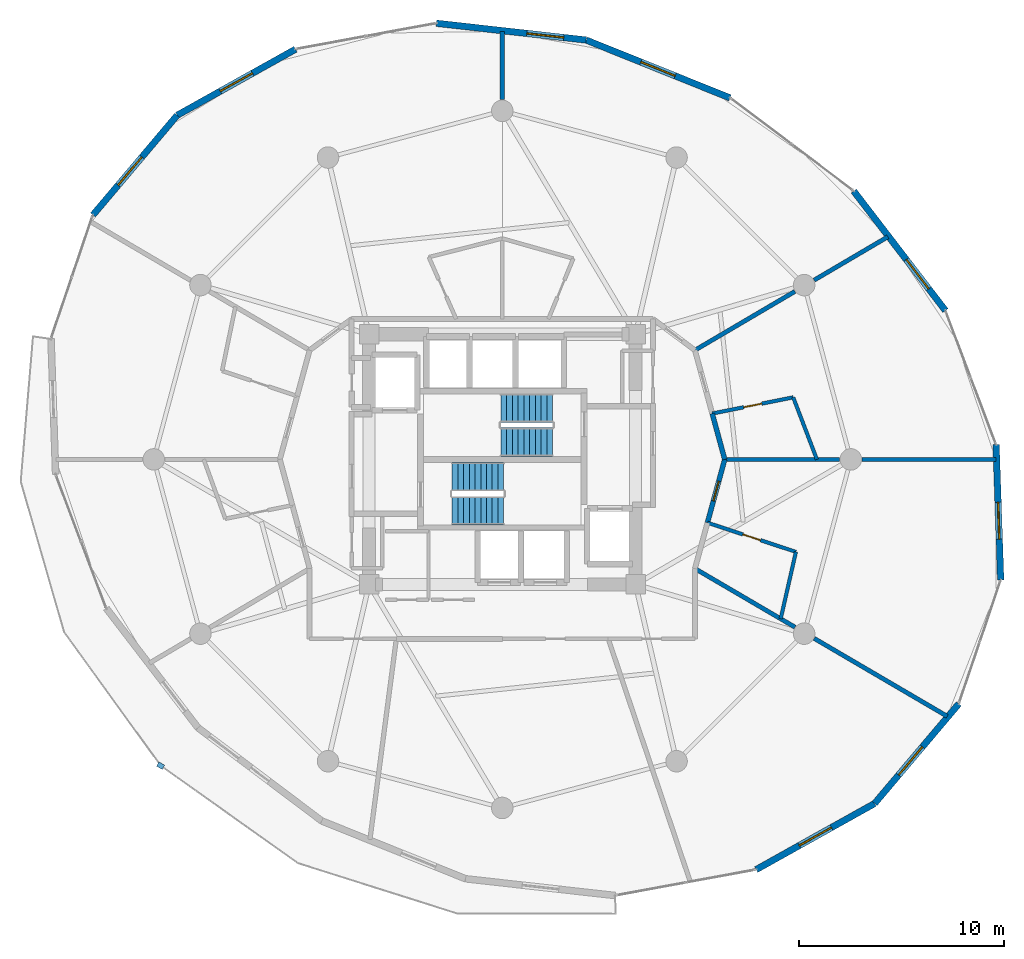
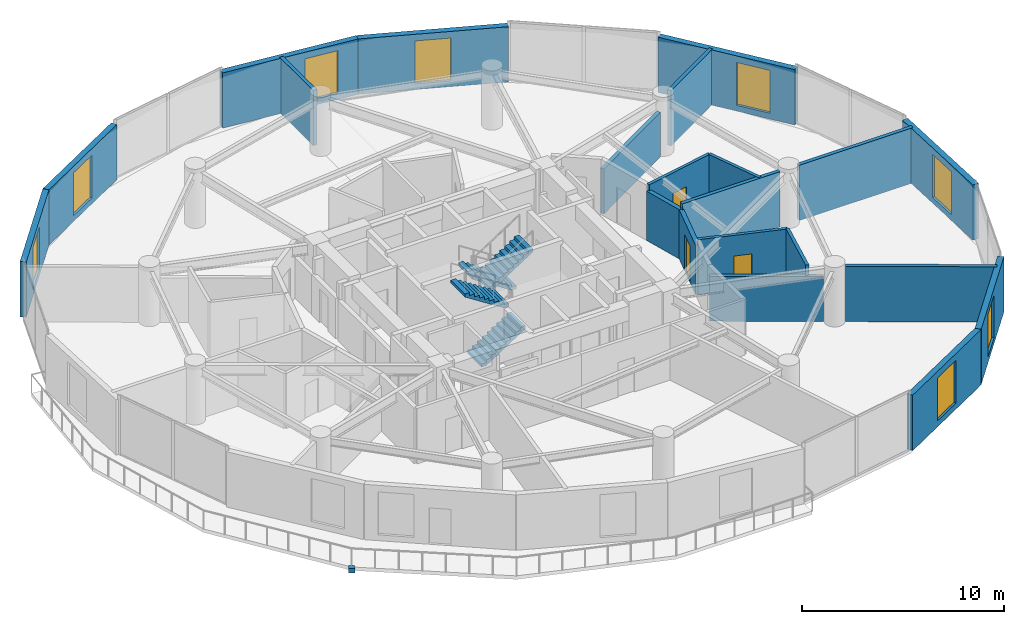
# One storey, part 23 of 25: 21 walls, 8 windows, 4 stair flights, 3 doors, 1 discrete accessory, 11 openings, 2 elements without a shape of their own.
"""IFC4 building model written with IfcOpenShell, lengths in metres."""

from ifc_helpers import new_model, si_unit, direction, frame, frame_2d, origin, origin_2d, place, context, subcontext, project, spatial, polyline, rectangle, outline, extrude, material, layer, layer_set, type_object, element, fill, aggregate, save


model = new_model("IFC4")

# Units and contexts
model_context = context("Model", 3, precision=1e-05, world=origin(), true_north=direction((0.0, 1.0)))
body_context = subcontext(model_context, "Body", "Model", "MODEL_VIEW")
ifc_project = project(units=[si_unit("LENGTHUNIT", "METRE"), si_unit("AREAUNIT", "SQUARE_METRE"), si_unit("VOLUMEUNIT", "CUBIC_METRE"), si_unit("PLANEANGLEUNIT", "RADIAN"), si_unit("MASSUNIT", "GRAM", prefix="KILO")], contexts=[model_context])

# Site, building, storey
site_placement = place(None, origin())
site = spatial("IfcSite", under=ifc_project, at=site_placement, CompositionType="ELEMENT")
building_placement = place(site_placement, origin())
building = spatial("IfcBuilding", under=site, at=building_placement, Name="Solvirekh Grand Hotel", CompositionType="ELEMENT")
storey_placement = place(building_placement, frame((0.0, 0.0, 106.199951171875)))
storey = spatial("IfcBuildingStorey", under=building, at=storey_placement, Name="L26", CompositionType="ELEMENT", Elevation=106.199951171875)

# Wall, opening, window
ifc_material_1 = material(Name="Precast concrete C45/55", Category="concrete")
ifc_layer_1 = layer(ifc_material_1, 0.320068359375)
ifc_layer_set_1 = layer_set([ifc_layer_1], Name="Precast concrete C45/55")
wall_type_1 = type_object("IfcWallType", Name="ExtLobbyWall_RC320", PredefinedType="SOLIDWALL", material=ifc_layer_set_1)
wall_1_placement = place(storey_placement, frame((24.0859375, 0.722900390625, 0.0), z_axis=(0.0, 0.0, 1.0), x_axis=(0.034040106065, -0.999420467661, 0.0)))
wall_1 = element("IfcWall", 1, at=wall_1_placement, inside=storey, type_object=wall_type_1, Name="L26 exterior structural wall chord 2", PredefinedType="SOLIDWALL", context=body_context, shape_type="SweptSolid", body=[
    extrude(rectangle(XDim=6.61279296875, YDim=0.320068359375, at=frame_2d((3.306396484375, 0.0))), origin(), (0.0, 0.0, 1.0), 3.35009765625),
])
opening_1_placement = place(wall_1_placement, frame((2.81689453125, 0.0, 0.35009765625)))
opening_1 = element("IfcOpeningElement", 2, at=opening_1_placement, cuts=wall_1, Name="Opening W02", PredefinedType="OPENING", context=body_context, shape_type="SweptSolid", body=[
    extrude(rectangle(XDim=1.800048828125, YDim=2.60009765625, at=frame_2d((0.89990234375, 1.300048828125))), frame((0.0, 0.169921875, 0.0), z_axis=(0.0, -1.0, 0.0), x_axis=(1.0, 0.0, 0.0)), (0.0, 0.0, 1.0), 0.340087890625),
])
ifc_material_2 = material(Name="Low-E Tinted Bronze Laminated Glass", Category="aluminium")
window_type = type_object("IfcWindowType", Name="Win_LobbyExt_1800X2600", PartitioningType="SINGLE_PANEL", PredefinedType="WINDOW", material=ifc_material_2)
window_1_placement = place(opening_1_placement, origin())
window_1 = element("IfcWindow", 3, at=window_1_placement, inside=storey, type_object=window_type, Name="L26 panoramic bronze-framed window 2", OverallHeight=2.60009765625, OverallWidth=1.800048828125, PartitioningType="SINGLE_PANEL", PredefinedType="WINDOW", context=body_context, shape_type="SweptSolid", body=[
    extrude(rectangle(XDim=1.800048828125, YDim=2.60009765625, at=frame_2d((0.89990234375, 1.300048828125))), frame((0.0, 0.030029296875, 0.0), z_axis=(0.0, -1.0, 0.0), x_axis=(1.0, 0.0, 0.0)), (0.0, 0.0, 1.0), 0.06005859375),
])
fill(opening_1, window_1)

wall_2_placement = place(storey_placement, frame((17.14208984375, 13.089111328125, 0.0), z_axis=(0.0, 0.0, 1.0), x_axis=(0.608831916989, -0.793299247986, 0.0)))
wall_2 = element("IfcWall", 4, at=wall_2_placement, inside=storey, type_object=wall_type_1, Name="L26 exterior structural wall chord 4", PredefinedType="SOLIDWALL", context=body_context, shape_type="SweptSolid", body=[
    extrude(rectangle(XDim=7.3466796875, YDim=0.320068359375, at=frame_2d((3.67333984375, 0.0))), origin(), (0.0, 0.0, 1.0), 3.35009765625),
])
opening_2_placement = place(wall_2_placement, frame((4.215087890625, 0.0, 0.35009765625)))
opening_2 = element("IfcOpeningElement", 5, at=opening_2_placement, cuts=wall_2, Name="Opening W02", PredefinedType="OPENING", context=body_context, shape_type="SweptSolid", body=[
    extrude(rectangle(XDim=1.800048828125, YDim=2.60009765625, at=frame_2d((0.89990234375, 1.300048828125))), frame((0.0, 0.169921875, 0.0), z_axis=(0.0, -1.0, 0.0), x_axis=(1.0, 0.0, 0.0)), (0.0, 0.0, 1.0), 0.340087890625),
])
window_2_placement = place(opening_2_placement, origin())
window_2 = element("IfcWindow", 6, at=window_2_placement, inside=storey, type_object=window_type, Name="L26 panoramic bronze-framed window 4", OverallHeight=2.60009765625, OverallWidth=1.800048828125, PartitioningType="SINGLE_PANEL", PredefinedType="WINDOW", context=body_context, shape_type="SweptSolid", body=[
    extrude(rectangle(XDim=1.800048828125, YDim=2.60009765625, at=frame_2d((0.89990234375, 1.300048828125))), frame((0.0, 0.030029296875, 0.0), z_axis=(0.0, -1.0, 0.0), x_axis=(1.0, 0.0, 0.0)), (0.0, 0.0, 1.0), 0.06005859375),
])
fill(opening_2, window_2)

wall_3_placement = place(storey_placement, frame((4.090087890625, 20.455078125, 0.0), z_axis=(0.0, 0.0, 1.0), x_axis=(0.927795739468, -0.373088549577, 0.0)))
wall_3 = element("IfcWall", 7, at=wall_3_placement, inside=storey, type_object=wall_type_1, Name="L26 exterior structural wall chord 6", PredefinedType="SOLIDWALL", context=body_context, shape_type="SweptSolid", body=[
    extrude(rectangle(XDim=7.55859375, YDim=0.320068359375, at=frame_2d((3.779296875, 0.0))), origin(), (0.0, 0.0, 1.0), 3.35009765625),
])
opening_3_placement = place(wall_3_placement, frame((2.87890625, 0.0, 0.35009765625)))
opening_3 = element("IfcOpeningElement", 8, at=opening_3_placement, cuts=wall_3, Name="Opening W02", PredefinedType="OPENING", context=body_context, shape_type="SweptSolid", body=[
    extrude(rectangle(XDim=1.800048828125, YDim=2.60009765625, at=frame_2d((0.89990234375, 1.300048828125))), frame((0.0, 0.169921875, 0.0), z_axis=(0.0, -1.0, 0.0), x_axis=(1.0, 0.0, 0.0)), (0.0, 0.0, 1.0), 0.340087890625),
])
window_3_placement = place(opening_3_placement, origin())
window_3 = element("IfcWindow", 9, at=window_3_placement, inside=storey, type_object=window_type, Name="L26 panoramic bronze-framed window 6", OverallHeight=2.60009765625, OverallWidth=1.800048828125, PartitioningType="SINGLE_PANEL", PredefinedType="WINDOW", context=body_context, shape_type="SweptSolid", body=[
    extrude(rectangle(XDim=1.800048828125, YDim=2.60009765625, at=frame_2d((0.89990234375, 1.300048828125))), frame((0.0, 0.030029296875, 0.0), z_axis=(0.0, -1.0, 0.0), x_axis=(1.0, 0.0, 0.0)), (0.0, 0.0, 1.0), 0.06005859375),
])
fill(opening_3, window_3)

wall_4_placement = place(storey_placement, frame((-3.2109375, 21.27294921875, 0.0), z_axis=(0.0, 0.0, 1.0), x_axis=(0.993784044115, -0.111325081016, 0.0)))
wall_4 = element("IfcWall", 10, at=wall_4_placement, inside=storey, type_object=wall_type_1, Name="L26 exterior structural wall chord 7", PredefinedType="SOLIDWALL", context=body_context, shape_type="SweptSolid", body=[
    extrude(rectangle(XDim=7.3466796875, YDim=0.320068359375, at=frame_2d((3.67333984375, 0.0))), origin(), (0.0, 0.0, 1.0), 3.35009765625),
])
opening_4_placement = place(wall_4_placement, frame((4.44091796875, 0.0, 0.35009765625)))
opening_4 = element("IfcOpeningElement", 11, at=opening_4_placement, cuts=wall_4, Name="Opening W02", PredefinedType="OPENING", context=body_context, shape_type="SweptSolid", body=[
    extrude(rectangle(XDim=1.800048828125, YDim=2.60009765625, at=frame_2d((0.89990234375, 1.300048828125))), frame((0.0, 0.169921875, 0.0), z_axis=(0.0, -1.0, 0.0), x_axis=(1.0, 0.0, 0.0)), (0.0, 0.0, 1.0), 0.340087890625),
])
window_4_placement = place(opening_4_placement, origin())
window_4 = element("IfcWindow", 12, at=window_4_placement, inside=storey, type_object=window_type, Name="L26 panoramic bronze-framed window 7", OverallHeight=2.60009765625, OverallWidth=1.800048828125, PartitioningType="SINGLE_PANEL", PredefinedType="WINDOW", context=body_context, shape_type="SweptSolid", body=[
    extrude(rectangle(XDim=1.800048828125, YDim=2.60009765625, at=frame_2d((0.89990234375, 1.300048828125))), frame((0.0, 0.030029296875, 0.0), z_axis=(0.0, -1.0, 0.0), x_axis=(1.0, 0.0, 0.0)), (0.0, 0.0, 1.0), 0.06005859375),
])
fill(opening_4, window_4)

wall_5_placement = place(storey_placement, frame((-15.85888671875, 16.784912109375, 0.0), z_axis=(0.0, 0.0, 1.0), x_axis=(0.873166276034, 0.487422459882, 0.0)))
wall_5 = element("IfcWall", 13, at=wall_5_placement, inside=storey, type_object=wall_type_1, Name="L26 exterior structural wall chord 9", PredefinedType="SOLIDWALL", context=body_context, shape_type="SweptSolid", body=[
    extrude(rectangle(XDim=6.612548828125, YDim=0.320068359375, at=frame_2d((3.30615234375, 0.0))), origin(), (0.0, 0.0, 1.0), 3.35009765625),
])
opening_5_placement = place(wall_5_placement, frame((2.406005859375, 0.0, 0.35009765625)))
opening_5 = element("IfcOpeningElement", 14, at=opening_5_placement, cuts=wall_5, Name="Opening W02", PredefinedType="OPENING", context=body_context, shape_type="SweptSolid", body=[
    extrude(rectangle(XDim=1.800048828125, YDim=2.60009765625, at=frame_2d((0.89990234375, 1.300048828125))), frame((0.0, 0.169921875, 0.0), z_axis=(0.0, -1.0, 0.0), x_axis=(1.0, 0.0, 0.0)), (0.0, 0.0, 1.0), 0.340087890625),
])
window_5_placement = place(opening_5_placement, origin())
window_5 = element("IfcWindow", 15, at=window_5_placement, inside=storey, type_object=window_type, Name="L26 panoramic bronze-framed window 9", OverallHeight=2.60009765625, OverallWidth=1.800048828125, PartitioningType="SINGLE_PANEL", PredefinedType="WINDOW", context=body_context, shape_type="SweptSolid", body=[
    extrude(rectangle(XDim=1.800048828125, YDim=2.60009765625, at=frame_2d((0.89990234375, 1.300048828125))), frame((0.0, 0.030029296875, 0.0), z_axis=(0.0, -1.0, 0.0), x_axis=(1.0, 0.0, 0.0)), (0.0, 0.0, 1.0), 0.06005859375),
])
fill(opening_5, window_5)

wall_6_placement = place(storey_placement, frame((-19.968994140625, 11.9189453125, 0.0), z_axis=(0.0, 0.0, 1.0), x_axis=(0.645278763483, 0.763947195425, 0.0)))
wall_6 = element("IfcWall", 16, at=wall_6_placement, inside=storey, type_object=wall_type_1, Name="L26 exterior structural wall chord 10", PredefinedType="SOLIDWALL", context=body_context, shape_type="SweptSolid", body=[
    extrude(rectangle(XDim=6.369384765625, YDim=0.320068359375, at=frame_2d((3.1845703125, 0.0))), origin(), (0.0, 0.0, 1.0), 3.35009765625),
])
opening_6_placement = place(wall_6_placement, frame((1.905029296875, 0.0, 0.35009765625)))
opening_6 = element("IfcOpeningElement", 17, at=opening_6_placement, cuts=wall_6, Name="Opening W02", PredefinedType="OPENING", context=body_context, shape_type="SweptSolid", body=[
    extrude(rectangle(XDim=1.800048828125, YDim=2.60009765625, at=frame_2d((0.89990234375, 1.300048828125))), frame((0.0, 0.169921875, 0.0), z_axis=(0.0, -1.0, 0.0), x_axis=(1.0, 0.0, 0.0)), (0.0, 0.0, 1.0), 0.340087890625),
])
window_6_placement = place(opening_6_placement, origin())
window_6 = element("IfcWindow", 18, at=window_6_placement, inside=storey, type_object=window_type, Name="L26 panoramic bronze-framed window 10", OverallHeight=2.60009765625, OverallWidth=1.800048828125, PartitioningType="SINGLE_PANEL", PredefinedType="WINDOW", context=body_context, shape_type="SweptSolid", body=[
    extrude(rectangle(XDim=1.800048828125, YDim=2.60009765625, at=frame_2d((0.89990234375, 1.300048828125))), frame((0.0, 0.030029296875, 0.0), z_axis=(0.0, -1.0, 0.0), x_axis=(1.0, 0.0, 0.0)), (0.0, 0.0, 1.0), 0.06005859375),
])
fill(opening_6, window_6)

wall_7_placement = place(storey_placement, frame((18.158935546875, -16.784912109375, 0.0), z_axis=(0.0, 0.0, 1.0), x_axis=(-0.873166276034, -0.487422459882, 0.0)))
wall_7 = element("IfcWall", 19, at=wall_7_placement, inside=storey, type_object=wall_type_1, Name="L26 exterior structural wall chord 19", PredefinedType="SOLIDWALL", context=body_context, shape_type="SweptSolid", body=[
    extrude(rectangle(XDim=6.612548828125, YDim=0.320068359375, at=frame_2d((3.30615234375, 0.0))), origin(), (0.0, 0.0, 1.0), 3.35009765625),
])
opening_7_placement = place(wall_7_placement, frame((2.406005859375, 0.0, 0.35009765625)))
opening_7 = element("IfcOpeningElement", 20, at=opening_7_placement, cuts=wall_7, Name="Opening W02", PredefinedType="OPENING", context=body_context, shape_type="SweptSolid", body=[
    extrude(rectangle(XDim=1.800048828125, YDim=2.60009765625, at=frame_2d((0.89990234375, 1.300048828125))), frame((0.0, 0.169921875, 0.0), z_axis=(0.0, -1.0, 0.0), x_axis=(1.0, 0.0, 0.0)), (0.0, 0.0, 1.0), 0.340087890625),
])
window_7_placement = place(opening_7_placement, origin())
window_7 = element("IfcWindow", 21, at=window_7_placement, inside=storey, type_object=window_type, Name="L26 panoramic bronze-framed window 19", OverallHeight=2.60009765625, OverallWidth=1.800048828125, PartitioningType="SINGLE_PANEL", PredefinedType="WINDOW", context=body_context, shape_type="SweptSolid", body=[
    extrude(rectangle(XDim=1.800048828125, YDim=2.60009765625, at=frame_2d((0.89990234375, 1.300048828125))), frame((0.0, 0.030029296875, 0.0), z_axis=(0.0, -1.0, 0.0), x_axis=(1.0, 0.0, 0.0)), (0.0, 0.0, 1.0), 0.06005859375),
])
fill(opening_7, window_7)

wall_8_placement = place(storey_placement, frame((22.26904296875, -11.9189453125, 0.0), z_axis=(0.0, 0.0, 1.0), x_axis=(-0.645278763483, -0.763947195425, 0.0)))
wall_8 = element("IfcWall", 22, at=wall_8_placement, inside=storey, type_object=wall_type_1, Name="L26 exterior structural wall chord 20", PredefinedType="SOLIDWALL", context=body_context, shape_type="SweptSolid", body=[
    extrude(rectangle(XDim=6.369384765625, YDim=0.320068359375, at=frame_2d((3.1845703125, 0.0))), origin(), (0.0, 0.0, 1.0), 3.35009765625),
])
opening_8_placement = place(wall_8_placement, frame((2.7509765625, 0.0, 0.35009765625)))
opening_8 = element("IfcOpeningElement", 23, at=opening_8_placement, cuts=wall_8, Name="Opening W02", PredefinedType="OPENING", context=body_context, shape_type="SweptSolid", body=[
    extrude(rectangle(XDim=1.800048828125, YDim=2.60009765625, at=frame_2d((0.89990234375, 1.300048828125))), frame((0.0, 0.169921875, 0.0), z_axis=(0.0, -1.0, 0.0), x_axis=(1.0, 0.0, 0.0)), (0.0, 0.0, 1.0), 0.340087890625),
])
window_8_placement = place(opening_8_placement, origin())
window_8 = element("IfcWindow", 24, at=window_8_placement, inside=storey, type_object=window_type, Name="L26 panoramic bronze-framed window 20", OverallHeight=2.60009765625, OverallWidth=1.800048828125, PartitioningType="SINGLE_PANEL", PredefinedType="WINDOW", context=body_context, shape_type="SweptSolid", body=[
    extrude(rectangle(XDim=1.800048828125, YDim=2.60009765625, at=frame_2d((0.89990234375, 1.300048828125))), frame((0.0, 0.030029296875, 0.0), z_axis=(0.0, -1.0, 0.0), x_axis=(1.0, 0.0, 0.0)), (0.0, 0.0, 1.0), 0.06005859375),
])
fill(opening_8, window_8)

# Wall, opening, door
ifc_material_3 = material(Name="Acoustic Gypsum Partition Assembly")
ifc_layer_2 = layer(ifc_material_3, 0.239990234375)
ifc_layer_set_2 = layer_set([ifc_layer_2], Name="Acoustic Gypsum Partition Assembly")
wall_type_2 = type_object("IfcWallType", Name="Part_Corridor_240", PredefinedType="PARTITIONING", material=ifc_layer_set_2)
wall_9_placement = place(storey_placement, frame((10.007080078125, -3.089111328125, 0.0), z_axis=(0.0, 0.0, 1.0), x_axis=(0.263272237376, 0.964721581093, 0.0)))
wall_9 = element("IfcWall", 25, at=wall_9_placement, inside=storey, type_object=wall_type_2, Name="L26 Deluxe Guestroom 2805 entrance wall", PredefinedType="PARTITIONING", context=body_context, shape_type="SweptSolid", body=[
    extrude(rectangle(XDim=3.2021484375, YDim=0.239990234375, at=frame_2d((1.60107421875, 0.0))), origin(), (0.0, 0.0, 1.0), 2.985107421875),
])
opening_9_placement = place(wall_9_placement, frame((1.10107421875, 0.0, 0.0)))
opening_9 = element("IfcOpeningElement", 26, at=opening_9_placement, cuts=wall_9, Name="Opening D07", PredefinedType="OPENING", context=body_context, shape_type="SweptSolid", body=[
    extrude(rectangle(XDim=1.0, YDim=2.199951171875, at=frame_2d((0.5, 1.10009765625))), frame((0.0, 0.1298828125, 0.0), z_axis=(0.0, -1.0, 0.0), x_axis=(1.0, 0.0, 0.0)), (0.0, 0.0, 1.0), 0.260009765625),
])
ifc_material_4 = material(Name="Fire-Rated Steel Door Assembly", Category="steel")
door_type_1 = type_object("IfcDoorType", Name="Door_GuestEntry_1000X2200", OperationType="NOTDEFINED", PredefinedType="DOOR", material=ifc_material_4)
door_1_placement = place(opening_9_placement, origin())
door_1 = element("IfcDoor", 27, at=door_1_placement, inside=storey, type_object=door_type_1, Name="L26 Deluxe Guestroom 2805 entrance door", OperationType="SINGLE_SWING_RIGHT", OverallHeight=2.199951171875, OverallWidth=1.0, PredefinedType="DOOR", context=body_context, shape_type="SweptSolid", body=[
    extrude(rectangle(XDim=1.0, YDim=2.199951171875, at=frame_2d((0.5, 1.10009765625))), frame((0.0, 0.02490234375, 0.0), z_axis=(0.0, -1.0, 0.0), x_axis=(1.0, 0.0, 0.0)), (0.0, 0.0, 1.0), 0.050048828125),
])
fill(opening_9, door_1)

# Walls
wall_10_placement = place(storey_placement, frame((10.85009765625, 0.0, 0.0), z_axis=(0.0, 0.0, 1.0), x_axis=(-0.263616426241, 0.964627586074, 0.0)))
element("IfcWall", 28, at=wall_10_placement, inside=storey, type_object=wall_type_2, Name="L26 En-suite Bathroom 2806 corridor backing wall", PredefinedType="PARTITIONING", context=body_context, shape_type="SweptSolid", body=[
    extrude(rectangle(XDim=2.318115234375, YDim=0.239990234375, at=frame_2d((1.1591796875, 0.0))), origin(), (0.0, 0.0, 1.0), 2.985107421875),
])
ifc_layer_3 = layer(ifc_material_3, 0.2099609375)
ifc_layer_set_3 = layer_set([ifc_layer_3], Name="Acoustic Gypsum Partition Assembly")
wall_type_3 = type_object("IfcWallType", Name="Part_SuiteDemise_210", PredefinedType="PARTITIONING", material=ifc_layer_set_3)
wall_11_placement = place(storey_placement, frame((10.85009765625, 0.0, 0.0), z_axis=(0.0, 0.0, 1.0), x_axis=(1.0, 0.0, 0.0)))
element("IfcWall", 29, at=wall_11_placement, inside=storey, type_object=wall_type_3, Name="L26 suite radial wall 1 (A)", PredefinedType="PARTITIONING", context=body_context, shape_type="SweptSolid", body=[
    extrude(rectangle(XDim=5.60498046875, YDim=0.2099609375, at=frame_2d((2.802490234375, 0.0))), origin(), (0.0, 0.0, 1.0), 3.35009765625),
])
wall_12_placement = place(storey_placement, frame((17.544921875, 0.0, 0.0), z_axis=(0.0, 0.0, 1.0), x_axis=(1.0, 0.0, 0.0)))
element("IfcWall", 30, at=wall_12_placement, inside=storey, type_object=wall_type_3, Name="L26 suite radial wall 1 (B)", PredefinedType="PARTITIONING", context=body_context, shape_type="SweptSolid", body=[
    extrude(rectangle(XDim=6.526123046875, YDim=0.2099609375, at=frame_2d((3.26318359375, 0.0))), origin(), (0.0, 0.0, 1.0), 3.35009765625),
])
wall_13_placement = place(storey_placement, frame((9.39599609375, 5.324951171875, 0.0), z_axis=(0.0, 0.0, 1.0), x_axis=(0.862032950085, 0.506852239778, 0.0)))
element("IfcWall", 31, at=wall_13_placement, inside=storey, type_object=wall_type_3, Name="L26 suite radial wall 2 (A)", PredefinedType="PARTITIONING", context=body_context, shape_type="SweptSolid", body=[
    extrude(rectangle(XDim=5.65625, YDim=0.2099609375, at=frame_2d((2.828125, 0.0))), origin(), (0.0, 0.0, 1.0), 2.718994140625),
])
wall_14_placement = place(storey_placement, frame((15.2099609375, 8.742919921875, 0.0), z_axis=(0.0, 0.0, 1.0), x_axis=(0.862004936616, 0.506899880894, 0.0)))
element("IfcWall", 32, at=wall_14_placement, inside=storey, type_object=wall_type_3, Name="L26 suite radial wall 2 (B)", PredefinedType="PARTITIONING", context=body_context, shape_type="SweptSolid", body=[
    extrude(rectangle(XDim=4.17041015625, YDim=0.2099609375, at=frame_2d((2.085205078125, 0.0))), origin(), (0.0, 0.0, 1.0), 3.35009765625),
])
wall_15_placement = place(storey_placement, frame((9.39599609375, -5.324951171875, 0.0), z_axis=(0.0, 0.0, 1.0), x_axis=(0.862912125579, -0.505353998232, 0.0)))
element("IfcWall", 33, at=wall_15_placement, inside=storey, type_object=wall_type_3, Name="L26 suite radial wall 12 (A)", PredefinedType="PARTITIONING", context=body_context, shape_type="SweptSolid", body=[
    extrude(rectangle(XDim=5.65771484375, YDim=0.2099609375, at=frame_2d((2.828857421875, 0.0))), origin(), (0.0, 0.0, 1.0), 2.718994140625),
])
wall_16_placement = place(storey_placement, frame((15.215087890625, -8.73193359375, 0.0), z_axis=(0.0, 0.0, 1.0), x_axis=(0.862960241997, -0.505271828556, 0.0)))
element("IfcWall", 34, at=wall_16_placement, inside=storey, type_object=wall_type_3, Name="L26 suite radial wall 12 (B)", PredefinedType="PARTITIONING", context=body_context, shape_type="SweptSolid", body=[
    extrude(rectangle(XDim=7.516845703125, YDim=0.2099609375, at=frame_2d((3.75830078125, 0.0))), origin(), (0.0, 0.0, 1.0), 3.35009765625),
])
wall_17_placement = place(storey_placement, frame((0.0, 17.544921875, 0.0), z_axis=(0.0, 0.0, 1.0), x_axis=(0.0, 1.0, 0.0)))
element("IfcWall", 35, at=wall_17_placement, inside=storey, type_object=wall_type_3, Name="L26 Panorama Suite 2801 dividing partition 1 (B)", PredefinedType="PARTITIONING", context=body_context, shape_type="SweptSolid", body=[
    extrude(rectangle(XDim=3.328125, YDim=0.2099609375, at=frame_2d((1.6640625, 0.0))), origin(), (0.0, 0.0, 1.0), 3.35009765625),
])
ifc_layer_4 = layer(ifc_material_3, 0.175048828125)
ifc_layer_set_4 = layer_set([ifc_layer_4], Name="Acoustic Gypsum Partition Assembly")
wall_type_4 = type_object("IfcWallType", Name="Plumb_Ensuite_175", PredefinedType="PLUMBINGWALL", material=ifc_layer_set_4)
wall_18_placement = place(storey_placement, frame((13.580078125, -7.77490234375, 0.0), z_axis=(0.0, 0.0, 1.0), x_axis=(0.221599041774, 0.975137869578, 0.0)))
element("IfcWall", 36, at=wall_18_placement, inside=storey, type_object=wall_type_4, Name="L26 En-suite Bathroom 2805 outer plumbing wall", PredefinedType="PLUMBINGWALL", context=body_context, shape_type="SweptSolid", body=[
    extrude(rectangle(XDim=3.34814453125, YDim=0.175048828125, at=frame_2d((1.674072265625, 0.0))), origin(), (0.0, 0.0, 1.0), 3.35009765625),
])

# Wall, opening, door
wall_19_placement = place(storey_placement, frame((10.007080078125, -3.089111328125, 0.0), z_axis=(0.0, 0.0, 1.0), x_axis=(0.949827092004, -0.312775471057, 0.0)))
wall_19 = element("IfcWall", 37, at=wall_19_placement, inside=storey, type_object=wall_type_4, Name="L26 En-suite Bathroom 2805 entry plumbing wall", PredefinedType="PLUMBINGWALL", context=body_context, shape_type="SweptSolid", body=[
    extrude(rectangle(XDim=4.54296875, YDim=0.175048828125, at=frame_2d((2.271484375, 0.0))), origin(), (0.0, 0.0, 1.0), 3.35009765625),
])
opening_10_placement = place(wall_19_placement, frame((1.821044921875, 0.0, 0.0)))
opening_10 = element("IfcOpeningElement", 38, at=opening_10_placement, cuts=wall_19, Name="Opening D09", PredefinedType="OPENING", context=body_context, shape_type="SweptSolid", body=[
    extrude(rectangle(XDim=0.89990234375, YDim=2.10009765625, at=frame_2d((0.449951171875, 1.050048828125))), frame((0.0, 0.09765625, 0.0), z_axis=(0.0, -1.0, 0.0), x_axis=(1.0, 0.0, 0.0)), (0.0, 0.0, 1.0), 0.195068359375),
])
ifc_material_5 = material(Name="Anodized Bronze Aluminium 6063-T6", Category="aluminium")
door_type_2 = type_object("IfcDoorType", Name="Door_Ensuite_900X2100", OperationType="NOTDEFINED", PredefinedType="DOOR", material=ifc_material_5)
door_2_placement = place(opening_10_placement, origin())
door_2 = element("IfcDoor", 39, at=door_2_placement, inside=storey, type_object=door_type_2, Name="L26 En-suite Bathroom 2805 door", OperationType="SINGLE_SWING_LEFT", OverallHeight=2.10009765625, OverallWidth=0.89990234375, PredefinedType="DOOR", context=body_context, shape_type="SweptSolid", body=[
    extrude(rectangle(XDim=0.89990234375, YDim=2.10009765625, at=frame_2d((0.449951171875, 1.050048828125))), frame((0.0, 0.02490234375, 0.0), z_axis=(0.0, -1.0, 0.0), x_axis=(1.0, 0.0, 0.0)), (0.0, 0.0, 1.0), 0.050048828125),
])
fill(opening_10, door_2)

# Wall
wall_20_placement = place(storey_placement, frame((15.344970703125, 0.0, 0.0), z_axis=(0.0, 0.0, 1.0), x_axis=(-0.35661902988, 0.934249895653, 0.0)))
element("IfcWall", 40, at=wall_20_placement, inside=storey, type_object=wall_type_4, Name="L26 En-suite Bathroom 2806 outer plumbing wall", PredefinedType="PLUMBINGWALL", context=body_context, shape_type="SweptSolid", body=[
    extrude(rectangle(XDim=3.23876953125, YDim=0.175048828125, at=frame_2d((1.619384765625, 0.0))), origin(), (0.0, 0.0, 1.0), 3.35009765625),
])

# Wall, opening, door
wall_21_placement = place(storey_placement, frame((10.239013671875, 2.236083984375, 0.0), z_axis=(0.0, 0.0, 1.0), x_axis=(0.980599315693, 0.196022912085, 0.0)))
wall_21 = element("IfcWall", 41, at=wall_21_placement, inside=storey, type_object=wall_type_4, Name="L26 En-suite Bathroom 2806 entry plumbing wall", PredefinedType="PLUMBINGWALL", context=body_context, shape_type="SweptSolid", body=[
    extrude(rectangle(XDim=4.029052734375, YDim=0.175048828125, at=frame_2d((2.0146484375, 0.0))), origin(), (0.0, 0.0, 1.0), 3.35009765625),
])
opening_11_placement = place(wall_21_placement, frame((1.56494140625, 0.0, 0.0)))
opening_11 = element("IfcOpeningElement", 42, at=opening_11_placement, cuts=wall_21, Name="Opening D09", PredefinedType="OPENING", context=body_context, shape_type="SweptSolid", body=[
    extrude(rectangle(XDim=0.89990234375, YDim=2.10009765625, at=frame_2d((0.449951171875, 1.050048828125))), frame((0.0, 0.09765625, 0.0), z_axis=(0.0, -1.0, 0.0), x_axis=(1.0, 0.0, 0.0)), (0.0, 0.0, 1.0), 0.195068359375),
])
door_3_placement = place(opening_11_placement, origin())
door_3 = element("IfcDoor", 43, at=door_3_placement, inside=storey, type_object=door_type_2, Name="L26 En-suite Bathroom 2806 door", OperationType="SINGLE_SWING_LEFT", OverallHeight=2.10009765625, OverallWidth=0.89990234375, PredefinedType="DOOR", context=body_context, shape_type="SweptSolid", body=[
    extrude(rectangle(XDim=0.89990234375, YDim=2.10009765625, at=frame_2d((0.449951171875, 1.050048828125))), frame((0.0, 0.02490234375, 0.0), z_axis=(0.0, -1.0, 0.0), x_axis=(1.0, 0.0, 0.0)), (0.0, 0.0, 1.0), 0.050048828125),
])
fill(opening_11, door_3)

# Stair, stair flights
ifc_material_6 = material(Name="Concrete C40/50", Category="concrete")
stair_type = type_object("IfcStairType", Name="Stair_Core_1450", PredefinedType="HALF_TURN_STAIR", material=ifc_material_6)
stair_1_placement = place(storey_placement, origin())
stair_1 = element("IfcStair", 44, at=stair_1_placement, inside=storey, type_object=stair_type, Name="L26 Enclosed exit stair ST-1", PredefinedType="HALF_TURN_STAIR")
stair_flight_type = type_object("IfcStairFlightType", Name="Flight_Core_1450", PredefinedType="STRAIGHT", material=ifc_material_6)
stair_flight_1_placement = place(storey_placement, frame((-2.449951171875, -2.5, 0.0), z_axis=(0.0, 0.0, 1.0), x_axis=(1.0, 0.0, 0.0)))
stair_flight_1 = element("IfcStairFlight", 45, at=stair_flight_1_placement, type_object=stair_flight_type, Name="ST-1 flight 1", NumberOfRisers=10, NumberOfTreads=9, PredefinedType="STRAIGHT", RiserHeight=0.18, TreadLength=0.28, context=body_context, shape_type="SweptSolid", body=[
    extrude(outline(polyline([(0.0, 0.0), (0.0, 0.179931640625), (0.280029296875, 0.179931640625), (0.280029296875, 0.360107421875), (0.56005859375, 0.360107421875), (0.56005859375, 0.5400390625), (0.840087890625, 0.5400390625), (0.840087890625, 0.719970703125), (1.1201171875, 0.719970703125), (1.1201171875, 0.89990234375), (1.39990234375, 0.89990234375), (1.39990234375, 1.080078125), (1.679931640625, 1.080078125), (1.679931640625, 1.260009765625), (1.9599609375, 1.260009765625), (1.9599609375, 1.43994140625), (2.239990234375, 1.43994140625), (2.239990234375, 1.6201171875), (2.52001953125, 1.6201171875), (2.52001953125, 1.800048828125), (2.52001953125, 1.44189453125), (0.277099609375, 0.0), (0.0, 0.0)])), frame((0.0, 0.699951171875, 0.0), z_axis=(0.0, -1.0, 0.0), x_axis=(1.0, 0.0, 0.0)), (0.0, 0.0, 1.0), 1.39990234375),
])
stair_flight_2_placement = place(storey_placement, frame((0.070068359375, -0.85009765625, 1.800048828125), z_axis=(0.0, 0.0, 1.0), x_axis=(-1.0, 0.0, 0.0)))
stair_flight_2 = element("IfcStairFlight", 46, at=stair_flight_2_placement, type_object=stair_flight_type, Name="ST-1 flight 2", NumberOfRisers=10, NumberOfTreads=9, PredefinedType="STRAIGHT", RiserHeight=0.18, TreadLength=0.28, context=body_context, shape_type="SweptSolid", body=[
    extrude(outline(polyline([(0.0, 0.0), (0.0, 0.179931640625), (0.280029296875, 0.179931640625), (0.280029296875, 0.360107421875), (0.56005859375, 0.360107421875), (0.56005859375, 0.5400390625), (0.840087890625, 0.5400390625), (0.840087890625, 0.719970703125), (1.1201171875, 0.719970703125), (1.1201171875, 0.89990234375), (1.39990234375, 0.89990234375), (1.39990234375, 1.080078125), (1.679931640625, 1.080078125), (1.679931640625, 1.260009765625), (1.9599609375, 1.260009765625), (1.9599609375, 1.43994140625), (2.239990234375, 1.43994140625), (2.239990234375, 1.6201171875), (2.52001953125, 1.6201171875), (2.52001953125, 1.800048828125), (2.52001953125, 1.44189453125), (0.277099609375, 0.0), (0.0, 0.0)])), frame((0.0, 0.699951171875, 0.0), z_axis=(0.0, -1.0, 0.0), x_axis=(1.0, 0.0, 0.0)), (0.0, 0.0, 1.0), 1.39990234375),
])
aggregate(stair_1, [stair_flight_1, stair_flight_2])

stair_2_placement = place(storey_placement, origin())
stair_2 = element("IfcStair", 47, at=stair_2_placement, inside=storey, type_object=stair_type, Name="L26 Enclosed exit stair ST-2", PredefinedType="HALF_TURN_STAIR")
stair_flight_3_placement = place(storey_placement, frame((2.449951171875, 2.5, 0.0), z_axis=(0.0, 0.0, 1.0), x_axis=(-1.0, 0.0, 0.0)))
stair_flight_3 = element("IfcStairFlight", 48, at=stair_flight_3_placement, type_object=stair_flight_type, Name="ST-2 flight 1", NumberOfRisers=10, NumberOfTreads=9, PredefinedType="STRAIGHT", RiserHeight=0.18, TreadLength=0.28, context=body_context, shape_type="SweptSolid", body=[
    extrude(outline(polyline([(0.0, 0.0), (0.0, 0.179931640625), (0.280029296875, 0.179931640625), (0.280029296875, 0.360107421875), (0.56005859375, 0.360107421875), (0.56005859375, 0.5400390625), (0.840087890625, 0.5400390625), (0.840087890625, 0.719970703125), (1.1201171875, 0.719970703125), (1.1201171875, 0.89990234375), (1.39990234375, 0.89990234375), (1.39990234375, 1.080078125), (1.679931640625, 1.080078125), (1.679931640625, 1.260009765625), (1.9599609375, 1.260009765625), (1.9599609375, 1.43994140625), (2.239990234375, 1.43994140625), (2.239990234375, 1.6201171875), (2.52001953125, 1.6201171875), (2.52001953125, 1.800048828125), (2.52001953125, 1.44189453125), (0.277099609375, 0.0), (0.0, 0.0)])), frame((0.0, 0.699951171875, 0.0), z_axis=(0.0, -1.0, 0.0), x_axis=(1.0, 0.0, 0.0)), (0.0, 0.0, 1.0), 1.39990234375),
])
stair_flight_4_placement = place(storey_placement, frame((-0.070068359375, 0.85009765625, 1.800048828125), z_axis=(0.0, 0.0, 1.0), x_axis=(1.0, 0.0, 0.0)))
stair_flight_4 = element("IfcStairFlight", 49, at=stair_flight_4_placement, type_object=stair_flight_type, Name="ST-2 flight 2", NumberOfRisers=10, NumberOfTreads=9, PredefinedType="STRAIGHT", RiserHeight=0.18, TreadLength=0.28, context=body_context, shape_type="SweptSolid", body=[
    extrude(outline(polyline([(0.0, 0.0), (0.0, 0.179931640625), (0.280029296875, 0.179931640625), (0.280029296875, 0.360107421875), (0.56005859375, 0.360107421875), (0.56005859375, 0.5400390625), (0.840087890625, 0.5400390625), (0.840087890625, 0.719970703125), (1.1201171875, 0.719970703125), (1.1201171875, 0.89990234375), (1.39990234375, 0.89990234375), (1.39990234375, 1.080078125), (1.679931640625, 1.080078125), (1.679931640625, 1.260009765625), (1.9599609375, 1.260009765625), (1.9599609375, 1.43994140625), (2.239990234375, 1.43994140625), (2.239990234375, 1.6201171875), (2.52001953125, 1.6201171875), (2.52001953125, 1.800048828125), (2.52001953125, 1.44189453125), (0.277099609375, 0.0), (0.0, 0.0)])), frame((0.0, 0.699951171875, 0.0), z_axis=(0.0, -1.0, 0.0), x_axis=(1.0, 0.0, 0.0)), (0.0, 0.0, 1.0), 1.39990234375),
])
aggregate(stair_2, [stair_flight_3, stair_flight_4])

# Discrete accessory
ifc_material_7 = material(Name="Steel S355", Category="steel")
discrete_accessory_type = type_object("IfcDiscreteAccessoryType", Name="Acc_ThermalBracket", PredefinedType="BRACKET", material=ifc_material_7)
discrete_accessory_placement = place(storey_placement, frame((-16.66796875, -14.93896484375, -0.27978515625), z_axis=(0.0, 0.0, 1.0), x_axis=(0.87121381112, -0.490903753615, 0.0)))
element("IfcDiscreteAccessory", 50, at=discrete_accessory_placement, inside=storey, type_object=discrete_accessory_type, Name="L26 balcony thermal-break bracket", PredefinedType="BRACKET", context=body_context, shape_type="SweptSolid", body=[
    extrude(rectangle(XDim=0.320068359375, YDim=0.239990234375, at=origin_2d()), origin(), (0.0, 0.0, 1.0), 0.280029296875),
])

save(model, "model.ifc")
